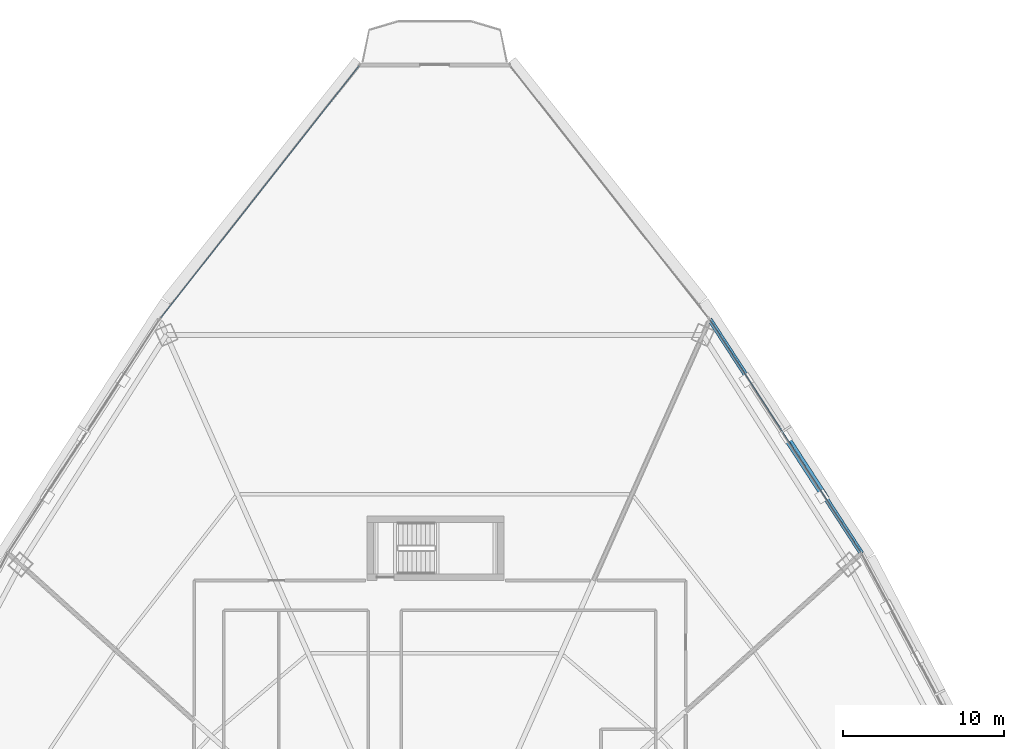
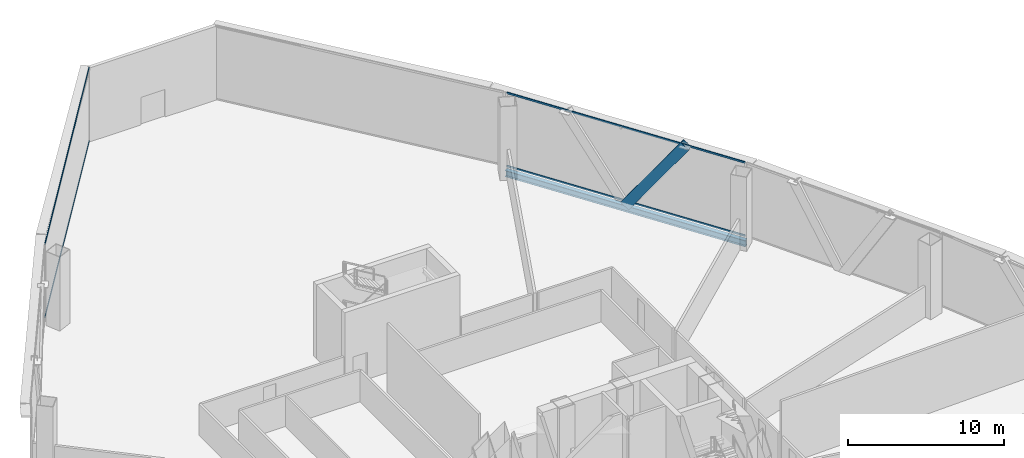
# One storey, part 26 of 41: 5 members, 1 beam, 2 elements without a shape of their own.
"""IFC4 building model written with IfcOpenShell, lengths in metres."""

from ifc_helpers import new_model, si_unit, direction, frame, origin, origin_2d, place, context, subcontext, project, spatial, hollow_rectangle, i_section, extrude, source, transform, mapped, material, layer, layer_set, material_profile, profile_set, type_object, element, aggregate, save


model = new_model("IFC4")

# Units and contexts
model_context = context("Model", 3, precision=1e-05, world=origin(), true_north=direction((0.0, 1.0)))
body_context = subcontext(model_context, "Body", "Model", "MODEL_VIEW")
ifc_project = project(units=[si_unit("LENGTHUNIT", "METRE"), si_unit("AREAUNIT", "SQUARE_METRE"), si_unit("VOLUMEUNIT", "CUBIC_METRE"), si_unit("PLANEANGLEUNIT", "RADIAN"), si_unit("MASSUNIT", "GRAM", prefix="KILO"), si_unit("THERMODYNAMICTEMPERATUREUNIT", "KELVIN"), si_unit("POWERUNIT", "WATT")], contexts=[model_context])

# Site, building, storey
site_placement = place(None, origin())
site = spatial("IfcSite", under=ifc_project, at=site_placement, CompositionType="ELEMENT")
building_placement = place(site_placement, origin())
building = spatial("IfcBuilding", under=site, at=building_placement, Name="Yunzhuo Pagoda Commons", CompositionType="ELEMENT")
storey_placement = place(building_placement, frame((0.0, 0.0, 70.330078125)))
storey = spatial("IfcBuildingStorey", under=building, at=storey_placement, Name="L18", CompositionType="ELEMENT", Elevation=70.330078125)

# Beam
ifc_material_1 = material(Name="Structural steel Q355B", Category="steel")
ifc_material_profile_1 = material_profile(ifc_material_1, i_section(OverallWidth=0.300048828125, OverallDepth=0.488037109375, WebThickness=0.010986328125, FlangeThickness=0.01806640625, at=origin_2d()), Name="Structural steel Q355B")
ifc_profile_set_1 = profile_set([ifc_material_profile_1], Name="Structural steel Q355B")
beam_type = type_object("IfcBeamType", Name="B-SP1 Beam HM 488x300x11x18", PredefinedType="BEAM", material=ifc_profile_set_1)
shared_shape_1 = source(origin(), body_context, "Body", "SweptSolid", [
    extrude(i_section(OverallWidth=0.300048828125, OverallDepth=0.488037109375, WebThickness=0.010986328125, FlangeThickness=0.01806640625, at=origin_2d()), origin(), (0.0, 0.0, 1.0), 17.251220703125),
])
beam_placement = place(storey_placement, frame((74.428955078125, 57.496826171875, -0.504150390625), z_axis=(-0.544376852456, 0.838840773037, 0.0), x_axis=(-0.838840773037, -0.544376852456, 0.0)))
element("IfcBeam", 1, at=beam_placement, inside=storey, type_object=beam_type, Name="L18 facade edge spandrel beam F2.3", PredefinedType="BEAM", context=body_context, shape_type="MappedRepresentation", body=[
    mapped(shared_shape_1, transform((0.0, 0.0, 0.0), scale=1.0)),
])

# Member
ifc_material_2 = material(Name="Structural steel Q420B", Category="steel")
ifc_material_profile_2 = material_profile(ifc_material_2, hollow_rectangle(XDim=0.419921875, YDim=0.719970703125, WallThickness=0.028076171875, at=origin_2d()), Name="Structural steel Q420B")
ifc_profile_set_2 = profile_set([ifc_material_profile_2], Name="Structural steel Q420B")
member_type_1 = type_object("IfcMemberType", Name="M-DL1 Brace BOX 720x420x28", PredefinedType="BRACE", material=ifc_profile_set_2)
shared_shape_2 = source(origin(), body_context, "Body", "SweptSolid", [
    extrude(hollow_rectangle(XDim=0.419921875, YDim=0.719970703125, WallThickness=0.028076171875, at=origin_2d()), origin(), (0.0, 0.0, 1.0), 7.41357421875),
])
member_1_placement = place(storey_placement, frame((69.7333984375, 64.732177734375, -0.260009765625), z_axis=(0.316701782363, -0.487978268801, 0.813373954725), x_axis=(0.838823653709, 0.544403231051, 0.0)))
element("IfcMember", 2, at=member_1_placement, inside=storey, type_object=member_type_1, Name="L18 facade diamond brace F2.3L", PredefinedType="BRACE", context=body_context, shape_type="MappedRepresentation", body=[
    mapped(shared_shape_2, transform((0.0, 0.0, 0.0), scale=1.0)),
])

# Curtain wall, members
ifc_material_3 = material(Name="Anodized aluminium 6063-T6", Category="aluminium")
ifc_layer = layer(ifc_material_3, 0.1650390625)
ifc_layer_set = layer_set([ifc_layer], Name="Anodized aluminium 6063-T6")
curtain_wall_type = type_object("IfcCurtainWallType", Name="CW-LOW Low-Zone Ribbon Curtain Wall", PredefinedType="NOTDEFINED", material=ifc_layer_set)
curtain_wall_1_placement = place(storey_placement, origin())
curtain_wall_1 = element("IfcCurtainWall", 3, at=curtain_wall_1_placement, inside=storey, type_object=curtain_wall_type, Name="L18 curtain wall CW-L18-F2B4", PredefinedType="NOTDEFINED")
ifc_material_profile_3 = material_profile(ifc_material_3, hollow_rectangle(XDim=0.06005859375, YDim=0.139892578125, WallThickness=0.00341796875, at=origin_2d()), Name="Anodized aluminium 6063-T6")
ifc_profile_set_3 = profile_set([ifc_material_profile_3], Name="Anodized aluminium 6063-T6")
member_type_2 = type_object("IfcMemberType", Name="CW-LOW-T Transom RHS 140x60x3.5", PredefinedType="USERDEFINED", material=ifc_profile_set_3)
shared_shape_3 = source(origin(), body_context, "Body", "SweptSolid", [
    extrude(hollow_rectangle(XDim=0.06005859375, YDim=0.139892578125, WallThickness=0.00341796875, at=origin_2d()), origin(), (0.0, 0.0, 1.0), 17.120849609375),
])
member_2_placement = place(storey_placement, frame((74.3935546875, 57.551513671875, 0.030029296875), z_axis=(-0.544384232902, 0.838835983353, 0.0), x_axis=(-0.838835983353, -0.544384232902, 0.0)))
member_2 = element("IfcMember", 4, at=member_2_placement, type_object=member_type_2, Name="CW transom 1.1", ObjectType="TRANSOM", PredefinedType="USERDEFINED", context=body_context, shape_type="MappedRepresentation", body=[
    mapped(shared_shape_3, transform((0.0, 0.0, 0.0), scale=1.0)),
])
member_3_placement = place(storey_placement, frame((74.3935546875, 57.551513671875, 5.739990234375), z_axis=(-0.544384232902, 0.838835983353, 0.0), x_axis=(-0.838835983353, -0.544384232902, 0.0)))
member_3 = element("IfcMember", 5, at=member_3_placement, type_object=member_type_2, Name="CW transom 1.2", ObjectType="TRANSOM", PredefinedType="USERDEFINED", context=body_context, shape_type="MappedRepresentation", body=[
    mapped(shared_shape_3, transform((0.0, 0.0, 0.0), scale=1.0)),
])
aggregate(curtain_wall_1, [member_2, member_3])

curtain_wall_2_placement = place(storey_placement, origin())
curtain_wall_2 = element("IfcCurtainWall", 6, at=curtain_wall_2_placement, inside=storey, type_object=curtain_wall_type, Name="L18 curtain wall CW-L18-F3B1", PredefinedType="NOTDEFINED")
shared_shape_4 = source(origin(), body_context, "Body", "SweptSolid", [
    extrude(hollow_rectangle(XDim=0.06005859375, YDim=0.139892578125, WallThickness=0.00341796875, at=origin_2d()), origin(), (0.0, 0.0, 1.0), 19.8544921875),
])
member_4_placement = place(storey_placement, frame((43.322265625, 87.68408203125, 0.030029296875), z_axis=(-0.61818479687, -0.786032796338, 0.0), x_axis=(0.786032796338, -0.61818479687, 0.0)))
member_4 = element("IfcMember", 7, at=member_4_placement, type_object=member_type_2, Name="CW transom 1.1", ObjectType="TRANSOM", PredefinedType="USERDEFINED", context=body_context, shape_type="MappedRepresentation", body=[
    mapped(shared_shape_4, transform((0.0, 0.0, 0.0), scale=1.0)),
])
member_5_placement = place(storey_placement, frame((43.322265625, 87.68408203125, 5.739990234375), z_axis=(-0.61818479687, -0.786032796338, 0.0), x_axis=(0.786032796338, -0.61818479687, 0.0)))
member_5 = element("IfcMember", 8, at=member_5_placement, type_object=member_type_2, Name="CW transom 1.2", ObjectType="TRANSOM", PredefinedType="USERDEFINED", context=body_context, shape_type="MappedRepresentation", body=[
    mapped(shared_shape_4, transform((0.0, 0.0, 0.0), scale=1.0)),
])
aggregate(curtain_wall_2, [member_4, member_5])

save(model, "model.ifc")
